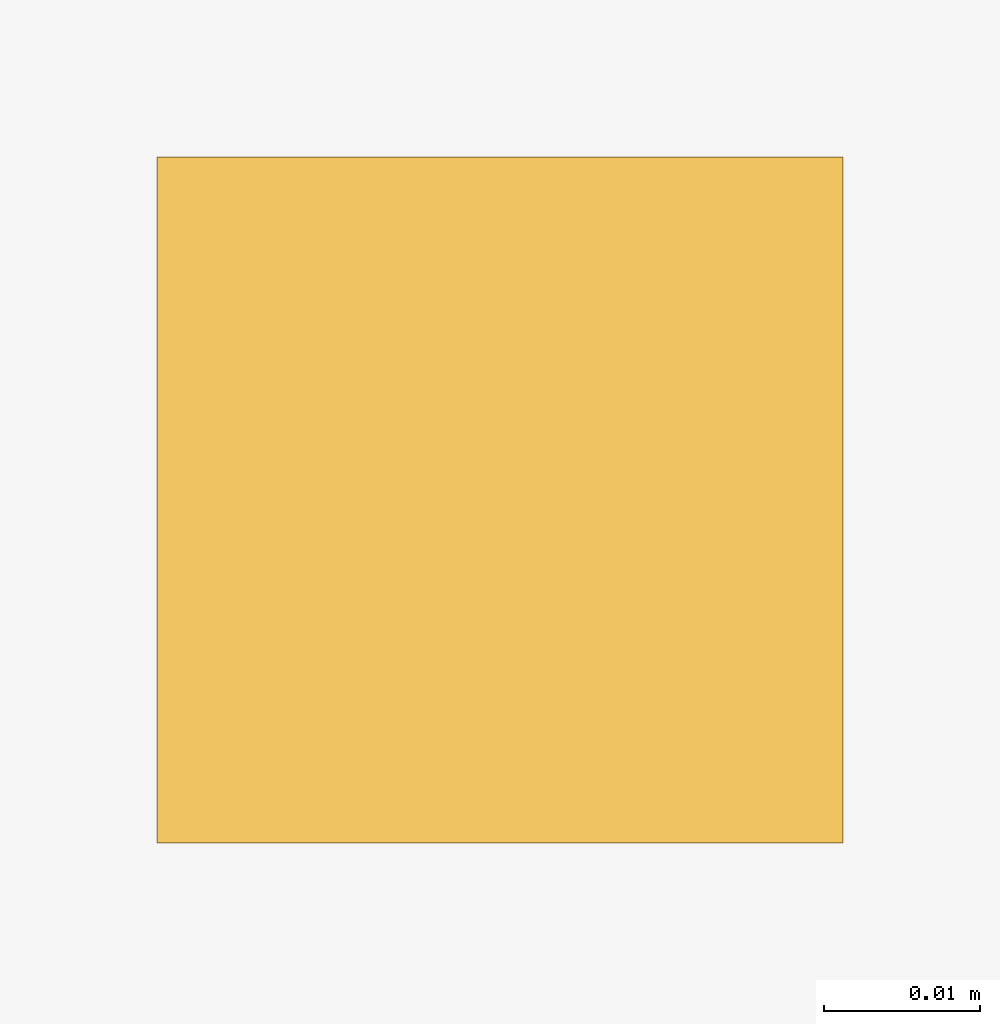
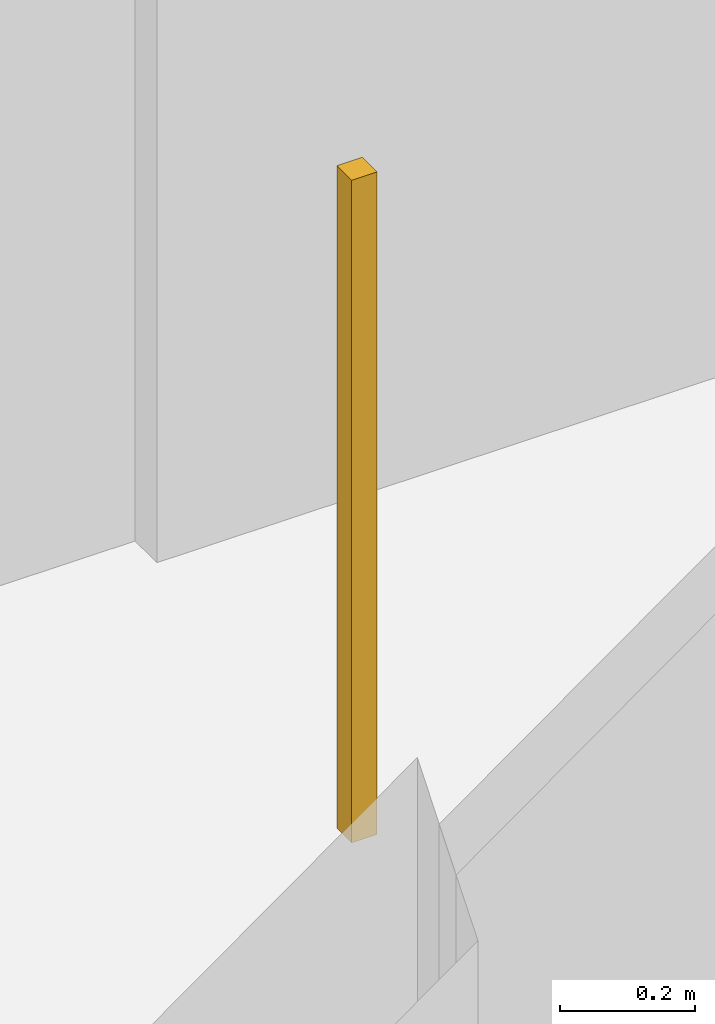
# One storey, part 8 of 10: 1 railing.
"""IFC4 building model written with IfcOpenShell, lengths in metres."""

from ifc_helpers import new_model, si_unit, direction, frame, origin, origin_2d, place, context, subcontext, project, spatial, rectangle, extrude, material, type_object, element, save


model = new_model("IFC4")

# Units and contexts
model_context = context("Model", 3, precision=1e-05, world=origin(), true_north=direction((0.0, 1.0)))
body_context = subcontext(model_context, "Body", "Model", "MODEL_VIEW")
ifc_project = project(units=[si_unit("LENGTHUNIT", "METRE"), si_unit("AREAUNIT", "SQUARE_METRE"), si_unit("VOLUMEUNIT", "CUBIC_METRE"), si_unit("PLANEANGLEUNIT", "RADIAN"), si_unit("MASSUNIT", "GRAM", prefix="KILO")], contexts=[model_context])

# Site, building, storey
site_placement = place(None, origin())
site = spatial("IfcSite", under=ifc_project, at=site_placement, CompositionType="ELEMENT")
building_placement = place(site_placement, origin())
building = spatial("IfcBuilding", under=site, at=building_placement, Name="Yunling Apex Tower", CompositionType="ELEMENT")
storey_placement = place(building_placement, frame((0.0, 0.0, 293.300048828125)))
storey = spatial("IfcBuildingStorey", under=building, at=storey_placement, Name="L71", CompositionType="ELEMENT", Elevation=293.300048828125)

# Railing
ifc_material = material(Name="Bronze anodised aluminium", Category="aluminium")
railing_type = type_object("IfcRailingType", Name="RL-BAL-1200", PredefinedType="BALUSTRADE", material=ifc_material)
railing_placement = place(storey_placement, origin())
element("IfcRailing", 1, at=railing_placement, inside=storey, type_object=railing_type, Name="RL-TATR-L71", PredefinedType="BALUSTRADE", context=body_context, shape_type="SweptSolid", body=[
    extrude(rectangle(XDim=0.0439453125, YDim=0.0439453125, at=origin_2d()), origin(), (0.0, 0.0, 1.0), 1.199951171875),
])

save(model, "model.ifc")
